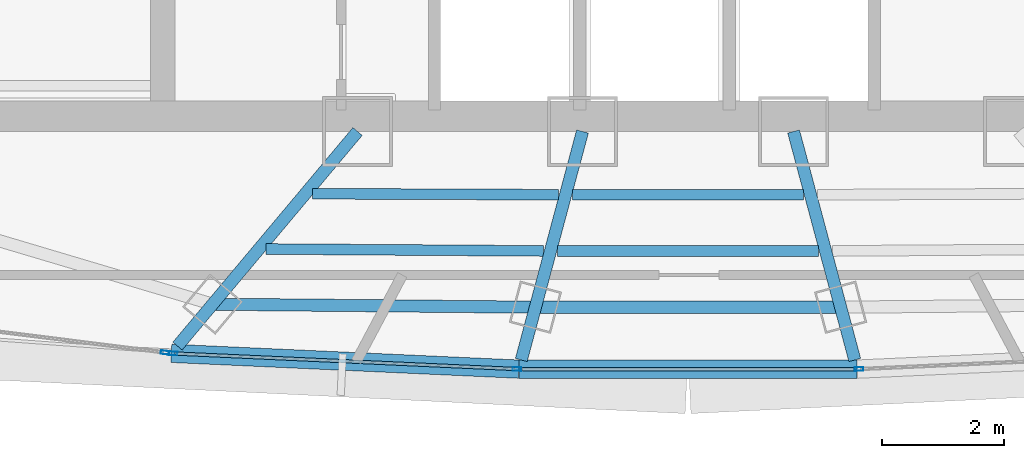
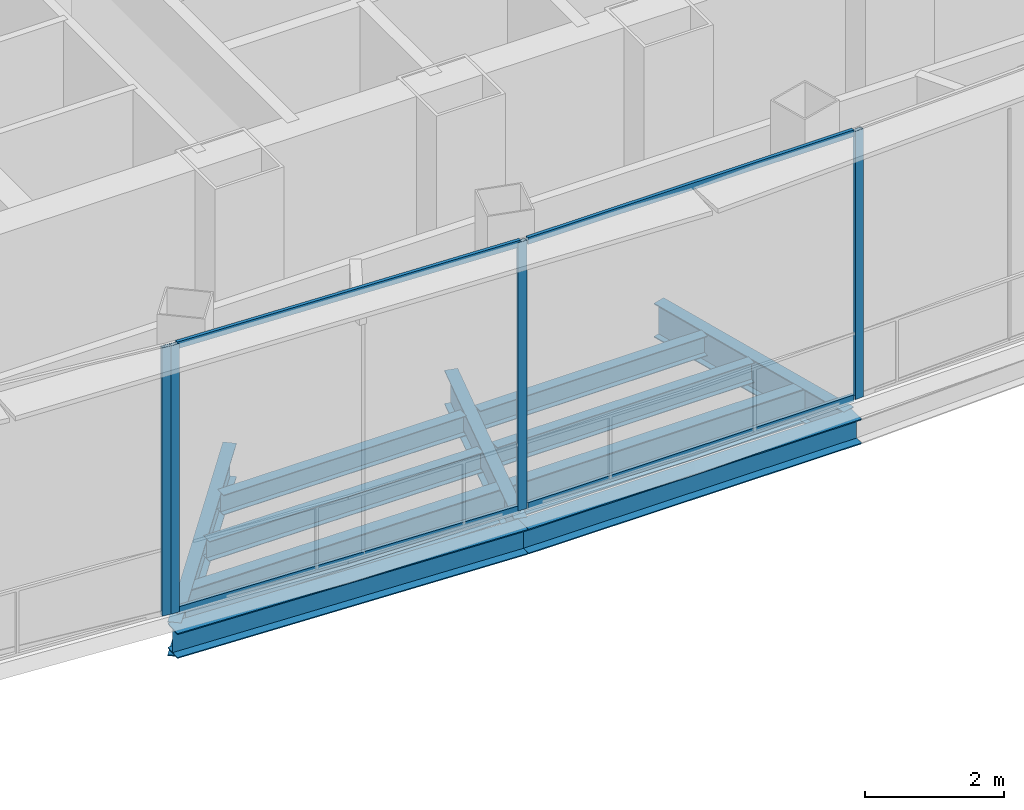
# One storey, part 4 of 29: 11 beams, 8 members, 4 elements without a shape of their own.
"""IFC4 building model written with IfcOpenShell, lengths in metres."""

from ifc_helpers import new_model, si_unit, direction, frame, origin, origin_2d, place, context, subcontext, project, spatial, hollow_rectangle, i_section, extrude, source, transform, mapped, material, layer, layer_set, material_profile, profile_set, type_object, element, aggregate, save


model = new_model("IFC4")

# Units and contexts
model_context = context("Model", 3, precision=1e-05, world=origin(), true_north=direction((0.0, 1.0)))
body_context = subcontext(model_context, "Body", "Model", "MODEL_VIEW")
ifc_project = project(units=[si_unit("LENGTHUNIT", "METRE"), si_unit("AREAUNIT", "SQUARE_METRE"), si_unit("VOLUMEUNIT", "CUBIC_METRE"), si_unit("PLANEANGLEUNIT", "RADIAN"), si_unit("MASSUNIT", "GRAM", prefix="KILO"), si_unit("THERMODYNAMICTEMPERATUREUNIT", "KELVIN"), si_unit("POWERUNIT", "WATT")], contexts=[model_context])

# Site, building, storey
site_placement = place(None, origin())
site = spatial("IfcSite", under=ifc_project, at=site_placement, CompositionType="ELEMENT")
building_placement = place(site_placement, origin())
building = spatial("IfcBuilding", under=site, at=building_placement, Name="Yunzhuo Pagoda Commons", CompositionType="ELEMENT")
storey_placement = place(building_placement, frame((0.0, 0.0, 366.760009765625)))
storey = spatial("IfcBuildingStorey", under=building, at=storey_placement, Name="L92", CompositionType="ELEMENT", Elevation=366.760009765625)

# Beams
ifc_material_1 = material(Name="Structural steel Q355B", Category="steel")
ifc_material_profile_1 = material_profile(ifc_material_1, i_section(OverallWidth=0.199951171875, OverallDepth=0.60009765625, WebThickness=0.010986328125, FlangeThickness=0.01708984375, at=origin_2d()), Name="Structural steel Q355B")
ifc_profile_set_1 = profile_set([ifc_material_profile_1], Name="Structural steel Q355B")
beam_type_1 = type_object("IfcBeamType", Name="B-RG3 Beam HN 600x200x11x17", PredefinedType="BEAM", material=ifc_profile_set_1)
shared_shape_1 = source(origin(), body_context, "Body", "SweptSolid", [
    extrude(i_section(OverallWidth=0.199951171875, OverallDepth=0.60009765625, WebThickness=0.010986328125, FlangeThickness=0.01708984375, at=origin_2d()), origin(), (0.0, 0.0, 1.0), 5.286376953125),
])
beam_1_placement = place(storey_placement, frame((40.214599609375, 24.421630859375, -0.580078125), z_axis=(0.999957341442, -0.009236627946, 0.0), x_axis=(0.009236627946, 0.999957341442, 0.0)))
element("IfcBeam", 1, at=beam_1_placement, inside=storey, type_object=beam_type_1, Name="L92 column-ring beam 1", PredefinedType="BEAM", context=body_context, shape_type="MappedRepresentation", body=[
    mapped(shared_shape_1, transform((0.0, 0.0, 0.0), scale=1.0)),
])
shared_shape_2 = source(origin(), body_context, "Body", "SweptSolid", [
    extrude(i_section(OverallWidth=0.199951171875, OverallDepth=0.60009765625, WebThickness=0.010986328125, FlangeThickness=0.01708984375, at=origin_2d()), origin(), (0.0, 0.0, 1.0), 4.99853515625),
])
beam_2_placement = place(storey_placement, frame((45.500732421875, 24.372802734375, -0.580078125), z_axis=(1.0, 0.0, 0.0), x_axis=(0.0, 1.0, 0.0)))
element("IfcBeam", 2, at=beam_2_placement, inside=storey, type_object=beam_type_1, Name="L92 column-ring beam 2", PredefinedType="BEAM", context=body_context, shape_type="MappedRepresentation", body=[
    mapped(shared_shape_2, transform((0.0, 0.0, 0.0), scale=1.0)),
])
ifc_material_profile_2 = material_profile(ifc_material_1, i_section(OverallWidth=0.175048828125, OverallDepth=0.35009765625, WebThickness=0.007080078125, FlangeThickness=0.010986328125, at=origin_2d()), Name="Structural steel Q355B")
ifc_profile_set_2 = profile_set([ifc_material_profile_2], Name="Structural steel Q355B")
beam_type_2 = type_object("IfcBeamType", Name="B-JS2 Joist HN 350x175x7x11", PredefinedType="JOIST", material=ifc_profile_set_2)
shared_shape_3 = source(origin(), body_context, "Body", "SweptSolid", [
    extrude(i_section(OverallWidth=0.175048828125, OverallDepth=0.35009765625, WebThickness=0.007080078125, FlangeThickness=0.010986328125, at=origin_2d()), origin(), (0.0, 0.0, 1.0), 4.03076171875),
])
beam_3_placement = place(storey_placement, frame((41.848388671875, 26.231201171875, -0.455078125), z_axis=(0.999991518197, -0.004118680996, 0.0), x_axis=(0.004118680996, 0.999991518197, 0.0)))
element("IfcBeam", 3, at=beam_3_placement, inside=storey, type_object=beam_type_2, Name="L92 composite ring joist 1.1", PredefinedType="JOIST", context=body_context, shape_type="MappedRepresentation", body=[
    mapped(shared_shape_3, transform((0.0, 0.0, 0.0), scale=1.0)),
])
shared_shape_4 = source(origin(), body_context, "Body", "SweptSolid", [
    extrude(i_section(OverallWidth=0.175048828125, OverallDepth=0.35009765625, WebThickness=0.007080078125, FlangeThickness=0.010986328125, at=origin_2d()), origin(), (0.0, 0.0, 1.0), 4.54345703125),
])
beam_4_placement = place(storey_placement, frame((41.089111328125, 25.325927734375, -0.455078125), z_axis=(0.999975976237, -0.006931590593, 0.0), x_axis=(0.006931590593, 0.999975976237, 0.0)))
element("IfcBeam", 4, at=beam_4_placement, inside=storey, type_object=beam_type_2, Name="L92 composite ring joist 2.1", PredefinedType="JOIST", context=body_context, shape_type="MappedRepresentation", body=[
    mapped(shared_shape_4, transform((0.0, 0.0, 0.0), scale=1.0)),
])
shared_shape_5 = source(origin(), body_context, "Body", "SweptSolid", [
    extrude(i_section(OverallWidth=0.175048828125, OverallDepth=0.35009765625, WebThickness=0.007080078125, FlangeThickness=0.010986328125, at=origin_2d()), origin(), (0.0, 0.0, 1.0), 3.78173828125),
])
beam_5_placement = place(storey_placement, frame((46.109130859375, 26.214111328125, -0.455078125), z_axis=(1.0, 0.0, 0.0), x_axis=(0.0, 1.0, 0.0)))
element("IfcBeam", 5, at=beam_5_placement, inside=storey, type_object=beam_type_2, Name="L92 composite ring joist 1.2", PredefinedType="JOIST", context=body_context, shape_type="MappedRepresentation", body=[
    mapped(shared_shape_5, transform((0.0, 0.0, 0.0), scale=1.0)),
])
shared_shape_6 = source(origin(), body_context, "Body", "SweptSolid", [
    extrude(i_section(OverallWidth=0.175048828125, OverallDepth=0.35009765625, WebThickness=0.007080078125, FlangeThickness=0.010986328125, at=origin_2d()), origin(), (0.0, 0.0, 1.0), 4.27490234375),
])
beam_6_placement = place(storey_placement, frame((45.862548828125, 25.29345703125, -0.455078125), z_axis=(1.0, 0.0, 0.0), x_axis=(0.0, 1.0, 0.0)))
element("IfcBeam", 6, at=beam_6_placement, inside=storey, type_object=beam_type_2, Name="L92 composite ring joist 2.2", PredefinedType="JOIST", context=body_context, shape_type="MappedRepresentation", body=[
    mapped(shared_shape_6, transform((0.0, 0.0, 0.0), scale=1.0)),
])
shared_shape_7 = source(origin(), body_context, "Body", "SweptSolid", [
    extrude(i_section(OverallWidth=0.199951171875, OverallDepth=0.60009765625, WebThickness=0.010986328125, FlangeThickness=0.01708984375, at=origin_2d()), origin(), (0.0, 0.0, 1.0), 4.587158203125),
])
beam_7_placement = place(storey_placement, frame((39.639404296875, 23.736083984375, -0.580078125), z_axis=(0.642782581433, 0.766048662297, 0.0), x_axis=(-0.766048662297, 0.642782581433, 0.0)))
element("IfcBeam", 7, at=beam_7_placement, inside=storey, type_object=beam_type_1, Name="L92 radial floor girder F1C1", PredefinedType="BEAM", context=body_context, shape_type="MappedRepresentation", body=[
    mapped(shared_shape_7, transform((0.0, 0.0, 0.0), scale=1.0)),
])
shared_shape_8 = source(origin(), body_context, "Body", "SweptSolid", [
    extrude(i_section(OverallWidth=0.199951171875, OverallDepth=0.60009765625, WebThickness=0.010986328125, FlangeThickness=0.01708984375, at=origin_2d()), origin(), (0.0, 0.0, 1.0), 3.873779296875),
])
beam_8_placement = place(storey_placement, frame((45.269287109375, 23.50830078125, -0.580078125), z_axis=(0.258843194056, 0.965919355273, 0.0), x_axis=(-0.965919355273, 0.258843194056, 0.0)))
element("IfcBeam", 8, at=beam_8_placement, inside=storey, type_object=beam_type_1, Name="L92 radial floor girder F1C2", PredefinedType="BEAM", context=body_context, shape_type="MappedRepresentation", body=[
    mapped(shared_shape_8, transform((0.0, 0.0, 0.0), scale=1.0)),
])
shared_shape_9 = source(origin(), body_context, "Body", "SweptSolid", [
    extrude(i_section(OverallWidth=0.199951171875, OverallDepth=0.60009765625, WebThickness=0.010986328125, FlangeThickness=0.01708984375, at=origin_2d()), origin(), (0.0, 0.0, 1.0), 3.87353515625),
])
beam_9_placement = place(storey_placement, frame((50.730712890625, 23.50830078125, -0.580078125), z_axis=(-0.258725583844, 0.965950864312, 0.0), x_axis=(-0.965950864312, -0.258725583844, 0.0)))
element("IfcBeam", 9, at=beam_9_placement, inside=storey, type_object=beam_type_1, Name="L92 radial floor girder F1C3", PredefinedType="BEAM", context=body_context, shape_type="MappedRepresentation", body=[
    mapped(shared_shape_9, transform((0.0, 0.0, 0.0), scale=1.0)),
])
ifc_material_profile_3 = material_profile(ifc_material_1, i_section(OverallWidth=0.300048828125, OverallDepth=0.43994140625, WebThickness=0.010986328125, FlangeThickness=0.01806640625, at=origin_2d()), Name="Structural steel Q355B")
ifc_profile_set_3 = profile_set([ifc_material_profile_3], Name="Structural steel Q355B")
beam_type_3 = type_object("IfcBeamType", Name="B-SP2 Beam HM 440x300x11x18", PredefinedType="BEAM", material=ifc_profile_set_3)
shared_shape_10 = source(origin(), body_context, "Body", "SweptSolid", [
    extrude(i_section(OverallWidth=0.300048828125, OverallDepth=0.43994140625, WebThickness=0.010986328125, FlangeThickness=0.01806640625, at=origin_2d()), origin(), (0.0, 0.0, 1.0), 5.6953125),
])
beam_10_placement = place(storey_placement, frame((39.53955078125, 23.617431640625, -0.5), z_axis=(0.998967125564, -0.045438772447, 0.0), x_axis=(0.045438772447, 0.998967125564, 0.0)))
element("IfcBeam", 10, at=beam_10_placement, inside=storey, type_object=beam_type_3, Name="L92 facade edge spandrel beam F1.1", PredefinedType="BEAM", context=body_context, shape_type="MappedRepresentation", body=[
    mapped(shared_shape_10, transform((0.0, 0.0, 0.0), scale=1.0)),
])
shared_shape_11 = source(origin(), body_context, "Body", "SweptSolid", [
    extrude(i_section(OverallWidth=0.300048828125, OverallDepth=0.43994140625, WebThickness=0.010986328125, FlangeThickness=0.01806640625, at=origin_2d()), origin(), (0.0, 0.0, 1.0), 5.5419921875),
])
beam_11_placement = place(storey_placement, frame((45.22900390625, 23.358642578125, -0.5), z_axis=(1.0, 0.0, 0.0), x_axis=(0.0, 1.0, 0.0)))
element("IfcBeam", 11, at=beam_11_placement, inside=storey, type_object=beam_type_3, Name="L92 facade edge spandrel beam F1.2", PredefinedType="BEAM", context=body_context, shape_type="MappedRepresentation", body=[
    mapped(shared_shape_11, transform((0.0, 0.0, 0.0), scale=1.0)),
])

# Curtain wall, members
ifc_material_2 = material(Name="Anodized aluminium 6063-T6", Category="aluminium")
ifc_layer = layer(ifc_material_2, 0.139892578125)
ifc_layer_set = layer_set([ifc_layer], Name="Anodized aluminium 6063-T6")
curtain_wall_type = type_object("IfcCurtainWallType", Name="CW-HI High-Zone Ribbon Curtain Wall", PredefinedType="NOTDEFINED", material=ifc_layer_set)
curtain_wall_1_placement = place(storey_placement, origin())
curtain_wall_1 = element("IfcCurtainWall", 12, at=curtain_wall_1_placement, inside=storey, type_object=curtain_wall_type, Name="L92 curtain wall CW-L92-F1B2", PredefinedType="NOTDEFINED")
ifc_material_profile_4 = material_profile(ifc_material_2, hollow_rectangle(XDim=0.06005859375, YDim=0.139892578125, WallThickness=0.00341796875, at=origin_2d()), Name="Anodized aluminium 6063-T6")
ifc_profile_set_4 = profile_set([ifc_material_profile_4], Name="Anodized aluminium 6063-T6")
member_type_1 = type_object("IfcMemberType", Name="CW-HI-M Mullion RHS 140x60x3.5", PredefinedType="MULLION", material=ifc_profile_set_4)
shared_shape_12 = source(origin(), body_context, "Body", "SweptSolid", [
    extrude(hollow_rectangle(XDim=0.06005859375, YDim=0.139892578125, WallThickness=0.00341796875, at=origin_2d()), origin(), (0.0, 0.0, 1.0), 4.72021484375),
])
member_1_placement = place(storey_placement, frame((39.569580078125, 23.615966796875, 0.0), z_axis=(0.0, 0.0, 1.0), x_axis=(0.045423590186, 0.998967816025, 0.0)))
member_1 = element("IfcMember", 13, at=member_1_placement, type_object=member_type_1, Name="CW mullion 1", PredefinedType="MULLION", context=body_context, shape_type="MappedRepresentation", body=[
    mapped(shared_shape_12, transform((0.0, 0.0, 0.0), scale=1.0)),
])
member_2_placement = place(storey_placement, frame((45.198974609375, 23.35986328125, 0.0), z_axis=(0.0, 0.0, 1.0), x_axis=(0.045423590186, 0.998967816025, 0.0)))
member_2 = element("IfcMember", 14, at=member_2_placement, type_object=member_type_1, Name="CW mullion 2", PredefinedType="MULLION", context=body_context, shape_type="MappedRepresentation", body=[
    mapped(shared_shape_12, transform((0.0, 0.0, 0.0), scale=1.0)),
])

# Curtain wall, member
curtain_wall_2_placement = place(storey_placement, origin())
curtain_wall_2 = element("IfcCurtainWall", 15, at=curtain_wall_2_placement, inside=storey, type_object=curtain_wall_type, Name="L92 curtain wall CW-L92-F1B4", PredefinedType="NOTDEFINED")
member_3_placement = place(storey_placement, frame((50.801025390625, 23.35986328125, 0.0), z_axis=(0.0, 0.0, 1.0), x_axis=(-0.045423590186, 0.998967816025, 0.0)))
member_3 = element("IfcMember", 16, at=member_3_placement, type_object=member_type_1, Name="CW mullion 1", PredefinedType="MULLION", context=body_context, shape_type="MappedRepresentation", body=[
    mapped(shared_shape_12, transform((0.0, 0.0, 0.0), scale=1.0)),
])
aggregate(curtain_wall_2, [member_3])

curtain_wall_3_placement = place(storey_placement, origin())
curtain_wall_3 = element("IfcCurtainWall", 17, at=curtain_wall_3_placement, inside=storey, type_object=curtain_wall_type, Name="L92 curtain wall CW-L92-F1B1", PredefinedType="NOTDEFINED")
member_4_placement = place(storey_placement, frame((39.435546875, 23.63037109375, 0.0), z_axis=(0.0, 0.0, 1.0), x_axis=(0.124712184848, 0.992192960543, 0.0)))
member_4 = element("IfcMember", 18, at=member_4_placement, type_object=member_type_1, Name="CW mullion 2", PredefinedType="MULLION", context=body_context, shape_type="MappedRepresentation", body=[
    mapped(shared_shape_12, transform((0.0, 0.0, 0.0), scale=1.0)),
])
aggregate(curtain_wall_3, [member_4])

# Member
ifc_material_profile_5 = material_profile(ifc_material_2, hollow_rectangle(XDim=0.054931640625, YDim=0.1201171875, WallThickness=0.00341796875, at=origin_2d()), Name="Anodized aluminium 6063-T6")
ifc_profile_set_5 = profile_set([ifc_material_profile_5], Name="Anodized aluminium 6063-T6")
member_type_2 = type_object("IfcMemberType", Name="CW-HI-T Transom RHS 120x55x3.5", PredefinedType="USERDEFINED", material=ifc_profile_set_5)
shared_shape_13 = source(origin(), body_context, "Body", "SweptSolid", [
    extrude(hollow_rectangle(XDim=0.054931640625, YDim=0.1201171875, WallThickness=0.00341796875, at=origin_2d()), origin(), (0.0, 0.0, 1.0), 5.5751953125),
])
member_5_placement = place(storey_placement, frame((39.599609375, 23.614501953125, 0.027587890625), z_axis=(0.998968359619, -0.045411633742, 0.0), x_axis=(0.045411633742, 0.998968359619, 0.0)))
member_5 = element("IfcMember", 19, at=member_5_placement, type_object=member_type_2, Name="CW transom 1.1", ObjectType="TRANSOM", PredefinedType="USERDEFINED", context=body_context, shape_type="MappedRepresentation", body=[
    mapped(shared_shape_13, transform((0.0, 0.0, 0.0), scale=1.0)),
])

member_6_placement = place(storey_placement, frame((39.599609375, 23.614501953125, 4.6923828125), z_axis=(0.998968359619, -0.045411633742, 0.0), x_axis=(0.045411633742, 0.998968359619, 0.0)))
member_6 = element("IfcMember", 20, at=member_6_placement, type_object=member_type_2, Name="CW transom 1.2", ObjectType="TRANSOM", PredefinedType="USERDEFINED", context=body_context, shape_type="MappedRepresentation", body=[
    mapped(shared_shape_13, transform((0.0, 0.0, 0.0), scale=1.0)),
])

aggregate(curtain_wall_1, [member_1, member_2, member_5, member_6])

# Curtain wall, members
curtain_wall_4_placement = place(storey_placement, origin())
curtain_wall_4 = element("IfcCurtainWall", 21, at=curtain_wall_4_placement, inside=storey, type_object=curtain_wall_type, Name="L92 curtain wall CW-L92-F1B3", PredefinedType="NOTDEFINED")
shared_shape_14 = source(origin(), body_context, "Body", "SweptSolid", [
    extrude(hollow_rectangle(XDim=0.054931640625, YDim=0.1201171875, WallThickness=0.00341796875, at=origin_2d()), origin(), (0.0, 0.0, 1.0), 5.421875),
])
member_7_placement = place(storey_placement, frame((45.289306640625, 23.358642578125, 0.027587890625), z_axis=(1.0, 0.0, 0.0), x_axis=(0.0, 1.0, 0.0)))
member_7 = element("IfcMember", 22, at=member_7_placement, type_object=member_type_2, Name="CW transom 1.1", ObjectType="TRANSOM", PredefinedType="USERDEFINED", context=body_context, shape_type="MappedRepresentation", body=[
    mapped(shared_shape_14, transform((0.0, 0.0, 0.0), scale=1.0)),
])
member_8_placement = place(storey_placement, frame((45.289306640625, 23.358642578125, 4.6923828125), z_axis=(1.0, 0.0, 0.0), x_axis=(0.0, 1.0, 0.0)))
member_8 = element("IfcMember", 23, at=member_8_placement, type_object=member_type_2, Name="CW transom 1.2", ObjectType="TRANSOM", PredefinedType="USERDEFINED", context=body_context, shape_type="MappedRepresentation", body=[
    mapped(shared_shape_14, transform((0.0, 0.0, 0.0), scale=1.0)),
])
aggregate(curtain_wall_4, [member_7, member_8])

save(model, "model.ifc")
